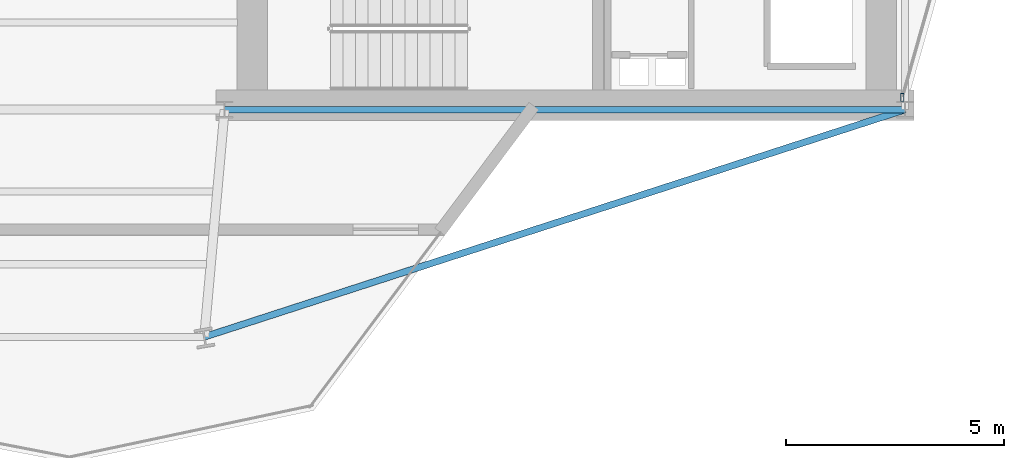
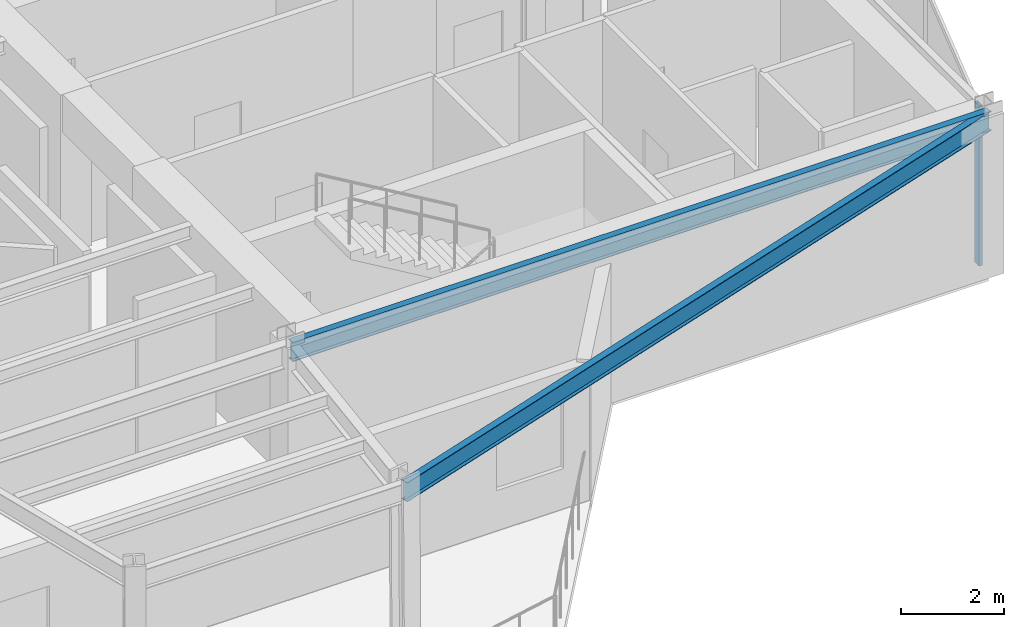
# One storey, part 10 of 18: 2 beams, 1 member, 1 element without a shape of its own.
"""IFC4 building model written with IfcOpenShell, lengths in metres."""

from ifc_helpers import new_model, si_unit, direction, frame, origin, origin_2d, place, context, subcontext, project, spatial, hollow_rectangle, i_section, extrude, material, layer, layer_set, material_profile, profile_set, type_object, element, aggregate, save


model = new_model("IFC4")

# Units and contexts
model_context = context("Model", 3, precision=1e-05, world=origin(), true_north=direction((0.0, 1.0)))
body_context = subcontext(model_context, "Body", "Model", "MODEL_VIEW")
ifc_project = project(units=[si_unit("LENGTHUNIT", "METRE"), si_unit("AREAUNIT", "SQUARE_METRE"), si_unit("VOLUMEUNIT", "CUBIC_METRE"), si_unit("PLANEANGLEUNIT", "RADIAN"), si_unit("MASSUNIT", "GRAM", prefix="KILO")], contexts=[model_context])

# Site, building, storey
site_placement = place(None, origin())
site = spatial("IfcSite", under=ifc_project, at=site_placement, CompositionType="ELEMENT")
building_placement = place(site_placement, origin())
building = spatial("IfcBuilding", under=site, at=building_placement, Name="Veymaron Broadcast Tower", CompositionType="ELEMENT")
storey_placement = place(building_placement, frame((0.0, 0.0, 236.39990234375)))
storey = spatial("IfcBuildingStorey", under=building, at=storey_placement, Name="L55", CompositionType="ELEMENT", Elevation=236.39990234375)

# Beams
ifc_material_1 = material(Name="Structural steel ASTM A992 Gr 50", Category="steel")
ifc_material_profile_1 = material_profile(ifc_material_1, i_section(OverallWidth=0.154052734375, OverallDepth=0.458984375, WebThickness=0.009033203125, FlangeThickness=0.015380859375, at=origin_2d()), Name="W460X68")
ifc_profile_set_1 = profile_set([ifc_material_profile_1], Name="Structural steel ASTM A992 Gr 50")
beam_type = type_object("IfcBeamType", Name="BM-SP2", PredefinedType="SPANDREL", material=ifc_profile_set_1)
beam_1_placement = place(storey_placement, frame((39.0, 16.0, 3.560546875), z_axis=(1.0, 0.0, 0.0), x_axis=(0.0, 1.0, 0.0)))
element("IfcBeam", 1, at=beam_1_placement, inside=storey, type_object=beam_type, Name="L55 primary structural floor girder", PredefinedType="SPANDREL", context=body_context, shape_type="SweptSolid", body=[
    extrude(i_section(OverallWidth=0.154052734375, OverallDepth=0.458984375, WebThickness=0.009033203125, FlangeThickness=0.015380859375, at=origin_2d()), origin(), (0.0, 0.0, 1.0), 15.60009765625),
])
beam_2_placement = place(storey_placement, frame((54.60009765625, 16.0, 3.560546875), z_axis=(-0.951229239257, -0.308484901384, 0.0), x_axis=(0.308484901384, -0.951229239257, 0.0)))
element("IfcBeam", 2, at=beam_2_placement, inside=storey, type_object=beam_type, Name="L55 primary structural floor girder", PredefinedType="SPANDREL", context=body_context, shape_type="SweptSolid", body=[
    extrude(i_section(OverallWidth=0.154052734375, OverallDepth=0.458984375, WebThickness=0.009033203125, FlangeThickness=0.015380859375, at=origin_2d()), origin(), (0.0, 0.0, 1.0), 16.888916015625),
])

# Curtain wall, member
ifc_material_2 = material(Name="Anodised aluminium AA 6063-T6 and laminated low-E dark glass", Category="aluminium")
ifc_layer = layer(ifc_material_2, 0.179931640625)
ifc_layer_set = layer_set([ifc_layer], Name="Anodised aluminium AA 6063-T6 and laminated low-E dark glass")
curtain_wall_type = type_object("IfcCurtainWallType", Name="CW-SYS-05", PredefinedType="NOTDEFINED", material=ifc_layer_set)
curtain_wall_placement = place(storey_placement, origin())
curtain_wall = element("IfcCurtainWall", 3, at=curtain_wall_placement, inside=storey, type_object=curtain_wall_type, Name="L55 dark-glass curtain wall CW-L55-E4-1", PredefinedType="NOTDEFINED")
ifc_material_3 = material(Name="Anodised aluminium AA 6063-T6", Category="aluminium")
ifc_material_profile_2 = material_profile(ifc_material_3, hollow_rectangle(XDim=0.074951171875, YDim=0.179931640625, WallThickness=0.0048828125, at=origin_2d()), Name="AL180X75X5")
ifc_profile_set_2 = profile_set([ifc_material_profile_2], Name="Anodised aluminium AA 6063-T6")
member_type = type_object("IfcMemberType", Name="CW-MUL-02", PredefinedType="MULLION", material=ifc_profile_set_2)
member_placement = place(storey_placement, frame((54.5341796875, 16.28076171875, 0.0), z_axis=(0.0, 0.0, 1.0), x_axis=(1.0, 0.0, 0.0)))
member = element("IfcMember", 4, at=member_placement, type_object=member_type, Name="CW-L55-E4-1 mullion 0", PredefinedType="MULLION", context=body_context, shape_type="SweptSolid", body=[
    extrude(hollow_rectangle(XDim=0.074951171875, YDim=0.179931640625, WallThickness=0.0048828125, at=origin_2d()), origin(), (0.0, 0.0, 1.0), 3.7900390625),
])
aggregate(curtain_wall, [member])

save(model, "model.ifc")
